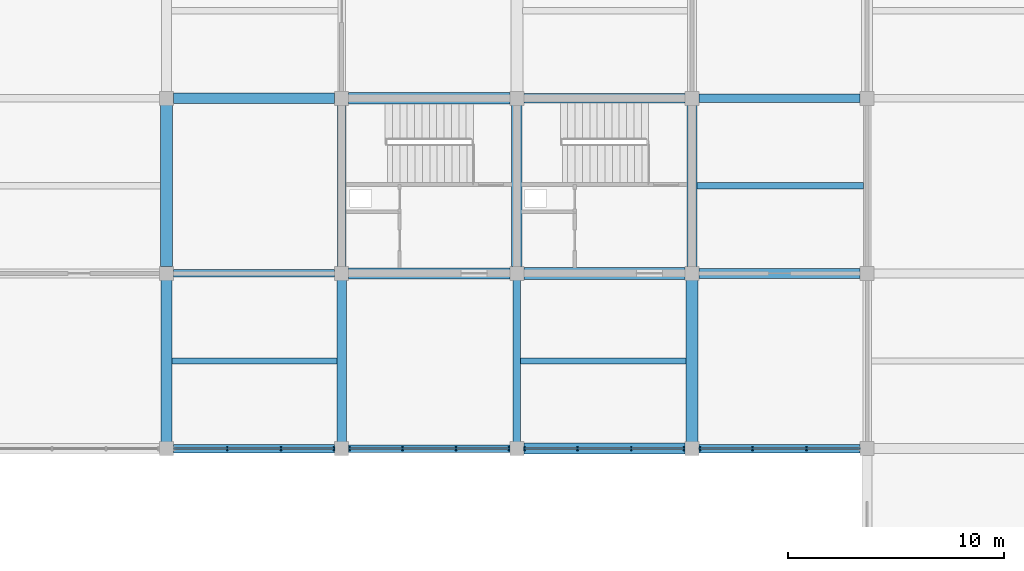
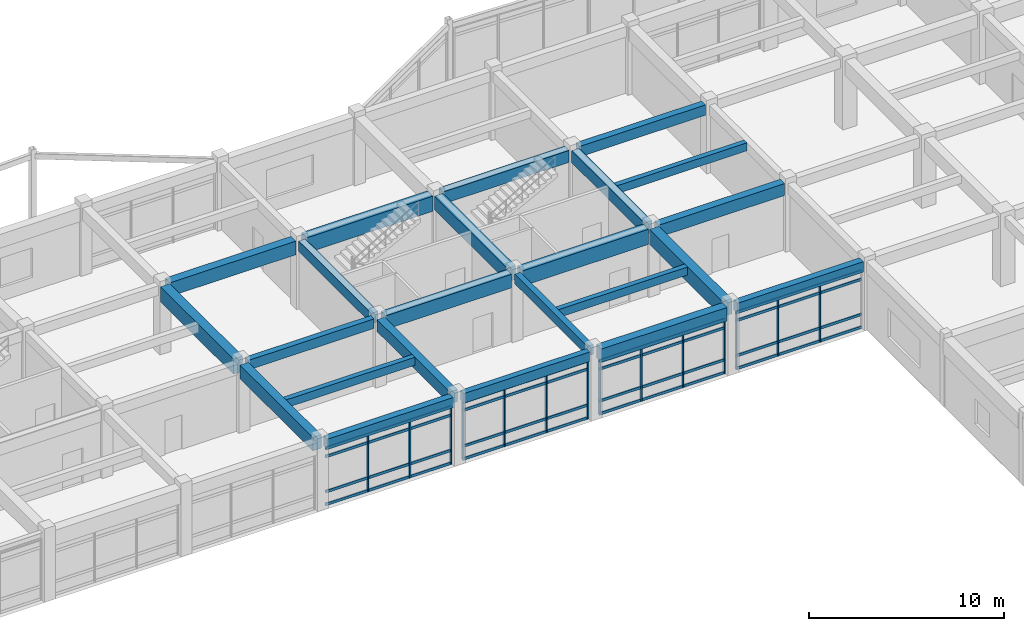
# One storey, part 32 of 93: 30 members, 23 beams, 4 elements without a shape of their own.
"""IFC4 building model written with IfcOpenShell, lengths in metres."""

from ifc_helpers import new_model, si_unit, direction, frame, origin, origin_2d, place, context, subcontext, project, spatial, rectangle, extrude, material, layer, layer_set, material_profile, profile_set, type_object, element, aggregate, save


model = new_model("IFC4")

# Units and contexts
model_context = context("Model", 3, precision=1e-05, world=origin(), true_north=direction((0.0, 1.0)))
body_context = subcontext(model_context, "Body", "Model", "MODEL_VIEW")
ifc_project = project(units=[si_unit("LENGTHUNIT", "METRE"), si_unit("AREAUNIT", "SQUARE_METRE"), si_unit("VOLUMEUNIT", "CUBIC_METRE"), si_unit("PLANEANGLEUNIT", "RADIAN"), si_unit("MASSUNIT", "GRAM", prefix="KILO")], contexts=[model_context])

# Site, building, storey
site_placement = place(None, origin())
site = spatial("IfcSite", under=ifc_project, at=site_placement, CompositionType="ELEMENT")
building_placement = place(site_placement, origin())
building = spatial("IfcBuilding", under=site, at=building_placement, Name="Vaudrelin Polytechnic", CompositionType="ELEMENT")
storey_placement = place(building_placement, frame((0.0, 0.0, 5.10009765625)))
storey = spatial("IfcBuildingStorey", under=building, at=storey_placement, Name="L01", CompositionType="ELEMENT", Elevation=5.10009765625)

# Beams
ifc_material_1 = material(Name="Concrete 40 MPa", Category="concrete")
ifc_material_profile_1 = material_profile(ifc_material_1, rectangle(XDim=0.35009765625, YDim=0.60009765625, at=origin_2d()), Name="RC350x600")
ifc_profile_set_1 = profile_set([ifc_material_profile_1], Name="Concrete 40 MPa")
beam_type_1 = type_object("IfcBeamType", Name="BM-BM-RC3560", PredefinedType="BEAM", material=ifc_profile_set_1)
beam_1_placement = place(storey_placement, frame((113.39990234375, 97.510009765625, 3.949951171875), z_axis=(0.0, 1.0, 0.0), x_axis=(-1.0, 0.0, 0.0)))
element("IfcBeam", 1, at=beam_1_placement, inside=storey, type_object=beam_type_1, Name="L01 Y-beam 15-13", PredefinedType="BEAM", context=body_context, shape_type="SweptSolid", body=[
    extrude(rectangle(XDim=0.35009765625, YDim=0.60009765625, at=origin_2d()), origin(), (0.0, 0.0, 1.0), 7.47998046875),
])
for number, where, z_axis, x_axis, name in (
    (2, (97.52099609375, 105.300048828125, 3.949951171875), (1.0, 0.0, 0.0), (0.0, 1.0, 0.0), "L01 X-beam 13-14"),
    (3, (105.62109375, 97.199951171875, 3.949951171875), (1.0, 0.0, 0.0), (0.0, 1.0, 0.0), "L01 X-beam 14-13"),
):
    element("IfcBeam", number, at=place(storey_placement, frame(where, z_axis=z_axis, x_axis=x_axis)), inside=storey, type_object=beam_type_1, Name=name, PredefinedType="BEAM", context=body_context, shape_type="SweptSolid", body=[
        extrude(rectangle(XDim=0.35009765625, YDim=0.60009765625, at=origin_2d()), origin(), (0.0, 0.0, 1.0), 7.4580078125),
    ])
ifc_material_profile_2 = material_profile(ifc_material_1, rectangle(XDim=0.39990234375, YDim=0.64990234375, at=origin_2d()), Name="RC400x650")
ifc_profile_set_2 = profile_set([ifc_material_profile_2], Name="Concrete 40 MPa")
beam_type_2 = type_object("IfcBeamType", Name="BM-BM-RC4065", PredefinedType="BEAM", material=ifc_profile_set_2)
beam_2_placement = place(storey_placement, frame((105.300048828125, 105.610107421875, 3.9248046875), z_axis=(0.0, 1.0, 0.0), x_axis=(-1.0, 0.0, 0.0)))
element("IfcBeam", 4, at=beam_2_placement, inside=storey, type_object=beam_type_2, Name="L01 Y-beam 14-14", PredefinedType="BEAM", context=body_context, shape_type="SweptSolid", body=[
    extrude(rectangle(XDim=0.39990234375, YDim=0.64990234375, at=origin_2d()), origin(), (0.0, 0.0, 1.0), 7.47998046875),
])
beam_3_placement = place(storey_placement, frame((121.821044921875, 113.39990234375, 3.9248046875), z_axis=(1.0, 0.0, 0.0), x_axis=(0.0, 1.0, 0.0)))
element("IfcBeam", 5, at=beam_3_placement, inside=storey, type_object=beam_type_2, Name="L01 X-beam 16-15", PredefinedType="BEAM", context=body_context, shape_type="SweptSolid", body=[
    extrude(rectangle(XDim=0.39990234375, YDim=0.64990234375, at=origin_2d()), origin(), (0.0, 0.0, 1.0), 7.4580078125),
])
ifc_material_profile_3 = material_profile(ifc_material_1, rectangle(XDim=0.449951171875, YDim=0.75, at=origin_2d()), Name="RC450x750")
ifc_profile_set_3 = profile_set([ifc_material_profile_3], Name="Concrete 40 MPa")
beam_type_3 = type_object("IfcBeamType", Name="BM-BM-RC4575", PredefinedType="BEAM", material=ifc_profile_set_3)
for number, where, z_axis, x_axis, name in (
    (6, (105.300048828125, 97.510009765625, 3.875), (0.0, 1.0, 0.0), (-1.0, 0.0, 0.0), "L01 Y-beam 14-13"),
    (7, (121.5, 105.610107421875, 3.875), (0.0, 1.0, 0.0), (-1.0, 0.0, 0.0), "L01 Y-beam 16-14"),
):
    element("IfcBeam", number, at=place(storey_placement, frame(where, z_axis=z_axis, x_axis=x_axis)), inside=storey, type_object=beam_type_3, Name=name, PredefinedType="BEAM", context=body_context, shape_type="SweptSolid", body=[
        extrude(rectangle(XDim=0.449951171875, YDim=0.75, at=origin_2d()), origin(), (0.0, 0.0, 1.0), 7.47998046875),
    ])
for number, where, z_axis, x_axis, name in (
    (8, (113.720947265625, 113.39990234375, 3.875), (1.0, 0.0, 0.0), (0.0, 1.0, 0.0), "L01 X-beam 15-15"),
    (9, (121.821044921875, 105.300048828125, 3.875), (1.0, 0.0, 0.0), (0.0, 1.0, 0.0), "L01 X-beam 16-14"),
):
    element("IfcBeam", number, at=place(storey_placement, frame(where, z_axis=z_axis, x_axis=x_axis)), inside=storey, type_object=beam_type_3, Name=name, PredefinedType="BEAM", context=body_context, shape_type="SweptSolid", body=[
        extrude(rectangle(XDim=0.449951171875, YDim=0.75, at=origin_2d()), origin(), (0.0, 0.0, 1.0), 7.4580078125),
    ])
ifc_material_profile_4 = material_profile(ifc_material_1, rectangle(XDim=0.5, YDim=0.85009765625, at=origin_2d()), Name="RC500x850")
ifc_profile_set_4 = profile_set([ifc_material_profile_4], Name="Concrete 40 MPa")
beam_type_4 = type_object("IfcBeamType", Name="BM-BM-RC5085", PredefinedType="BEAM", material=ifc_profile_set_4)
for number, where, z_axis, x_axis, name in (
    (10, (97.199951171875, 97.510009765625, 3.824951171875), (0.0, 1.0, 0.0), (-1.0, 0.0, 0.0), "L01 Y-beam 13-13"),
    (11, (113.39990234375, 105.610107421875, 3.824951171875), (0.0, 1.0, 0.0), (-1.0, 0.0, 0.0), "L01 Y-beam 15-14"),
):
    element("IfcBeam", number, at=place(storey_placement, frame(where, z_axis=z_axis, x_axis=x_axis)), inside=storey, type_object=beam_type_4, Name=name, PredefinedType="BEAM", context=body_context, shape_type="SweptSolid", body=[
        extrude(rectangle(XDim=0.5, YDim=0.85009765625, at=origin_2d()), origin(), (0.0, 0.0, 1.0), 7.47998046875),
    ])
for number, where, z_axis, x_axis, name in (
    (12, (97.52099609375, 113.39990234375, 3.824951171875), (1.0, 0.0, 0.0), (0.0, 1.0, 0.0), "L01 X-beam 13-15"),
    (13, (105.62109375, 105.300048828125, 3.824951171875), (1.0, 0.0, 0.0), (0.0, 1.0, 0.0), "L01 X-beam 14-14"),
    (14, (113.720947265625, 97.199951171875, 3.824951171875), (1.0, 0.0, 0.0), (0.0, 1.0, 0.0), "L01 X-beam 15-13"),
):
    element("IfcBeam", number, at=place(storey_placement, frame(where, z_axis=z_axis, x_axis=x_axis)), inside=storey, type_object=beam_type_4, Name=name, PredefinedType="BEAM", context=body_context, shape_type="SweptSolid", body=[
        extrude(rectangle(XDim=0.5, YDim=0.85009765625, at=origin_2d()), origin(), (0.0, 0.0, 1.0), 7.4580078125),
    ])
ifc_material_2 = material(Name="Concrete 50 MPa", Category="concrete")
ifc_material_profile_5 = material_profile(ifc_material_2, rectangle(XDim=0.550048828125, YDim=0.949951171875, at=origin_2d()), Name="RC550x950")
ifc_profile_set_5 = profile_set([ifc_material_profile_5], Name="Concrete 50 MPa")
beam_type_5 = type_object("IfcBeamType", Name="BM-BM-RC5595", PredefinedType="BEAM", material=ifc_profile_set_5)
for number, where, z_axis, x_axis, name in (
    (15, (97.199951171875, 105.610107421875, 3.77490234375), (0.0, 1.0, 0.0), (-1.0, 0.0, 0.0), "L01 Y-beam 13-14"),
    (16, (121.5, 97.510009765625, 3.77490234375), (0.0, 1.0, 0.0), (-1.0, 0.0, 0.0), "L01 Y-beam 16-13"),
):
    element("IfcBeam", number, at=place(storey_placement, frame(where, z_axis=z_axis, x_axis=x_axis)), inside=storey, type_object=beam_type_5, Name=name, PredefinedType="BEAM", context=body_context, shape_type="SweptSolid", body=[
        extrude(rectangle(XDim=0.550048828125, YDim=0.949951171875, at=origin_2d()), origin(), (0.0, 0.0, 1.0), 7.47998046875),
    ])
for number, where, z_axis, x_axis, name in (
    (17, (105.62109375, 113.39990234375, 3.77490234375), (1.0, 0.0, 0.0), (0.0, 1.0, 0.0), "L01 X-beam 14-15"),
    (18, (113.720947265625, 105.300048828125, 3.77490234375), (1.0, 0.0, 0.0), (0.0, 1.0, 0.0), "L01 X-beam 15-14"),
):
    element("IfcBeam", number, at=place(storey_placement, frame(where, z_axis=z_axis, x_axis=x_axis)), inside=storey, type_object=beam_type_5, Name=name, PredefinedType="BEAM", context=body_context, shape_type="SweptSolid", body=[
        extrude(rectangle(XDim=0.550048828125, YDim=0.949951171875, at=origin_2d()), origin(), (0.0, 0.0, 1.0), 7.4580078125),
    ])
ifc_material_profile_6 = material_profile(ifc_material_1, rectangle(XDim=0.300048828125, YDim=0.5, at=origin_2d()), Name="RC300x500")
ifc_profile_set_6 = profile_set([ifc_material_profile_6], Name="Concrete 40 MPa")
beam_type_6 = type_object("IfcBeamType", Name="BM-JS-RC3050", PredefinedType="JOIST", material=ifc_profile_set_6)
beam_4_placement = place(storey_placement, frame((97.446044921875, 101.25, 4.0), z_axis=(1.0, 0.0, 0.0), x_axis=(0.0, 1.0, 0.0)))
element("IfcBeam", 19, at=beam_4_placement, inside=storey, type_object=beam_type_6, Name="L01 floor joist 13-13", PredefinedType="JOIST", context=body_context, shape_type="SweptSolid", body=[
    extrude(rectangle(XDim=0.300048828125, YDim=0.5, at=origin_2d()), origin(), (0.0, 0.0, 1.0), 7.633056640625),
])
beam_5_placement = place(storey_placement, frame((113.571044921875, 101.25, 4.0), z_axis=(1.0, 0.0, 0.0), x_axis=(0.0, 1.0, 0.0)))
element("IfcBeam", 20, at=beam_5_placement, inside=storey, type_object=beam_type_6, Name="L01 floor joist 15-13", PredefinedType="JOIST", context=body_context, shape_type="SweptSolid", body=[
    extrude(rectangle(XDim=0.300048828125, YDim=0.5, at=origin_2d()), origin(), (0.0, 0.0, 1.0), 7.657958984375),
])
beam_6_placement = place(storey_placement, frame((121.720947265625, 109.35009765625, 4.0), z_axis=(1.0, 0.0, 0.0), x_axis=(0.0, 1.0, 0.0)))
element("IfcBeam", 21, at=beam_6_placement, inside=storey, type_object=beam_type_6, Name="L01 floor joist 16-14", PredefinedType="JOIST", context=body_context, shape_type="SweptSolid", body=[
    extrude(rectangle(XDim=0.300048828125, YDim=0.5, at=origin_2d()), origin(), (0.0, 0.0, 1.0), 7.7080078125),
])
ifc_material_profile_7 = material_profile(ifc_material_1, rectangle(XDim=0.39990234375, YDim=0.64990234375, at=origin_2d()), Name="RC400x650")
ifc_profile_set_7 = profile_set([ifc_material_profile_7], Name="Concrete 40 MPa")
beam_type_7 = type_object("IfcBeamType", Name="BM-SP-RC4065", PredefinedType="SPANDREL", material=ifc_profile_set_7)
for number, where, z_axis, x_axis, name in (
    (22, (97.52099609375, 97.199951171875, 3.9248046875), (1.0, 0.0, 0.0), (0.0, 1.0, 0.0), "L01 X-beam 13-13"),
    (23, (121.821044921875, 97.199951171875, 3.9248046875), (1.0, 0.0, 0.0), (0.0, 1.0, 0.0), "L01 X-beam 16-13"),
):
    element("IfcBeam", number, at=place(storey_placement, frame(where, z_axis=z_axis, x_axis=x_axis)), inside=storey, type_object=beam_type_7, Name=name, PredefinedType="SPANDREL", context=body_context, shape_type="SweptSolid", body=[
        extrude(rectangle(XDim=0.39990234375, YDim=0.64990234375, at=origin_2d()), origin(), (0.0, 0.0, 1.0), 7.4580078125),
    ])

# Curtain wall, members
ifc_material_3 = material(Name="Thermally broken anodised aluminium AA 6063-T6 and low-e triple glazing", Category="aluminium")
ifc_layer = layer(ifc_material_3, 0.199951171875)
ifc_layer_set = layer_set([ifc_layer], Name="Thermally broken anodised aluminium AA 6063-T6 and low-e triple glazing")
curtain_wall_type = type_object("IfcCurtainWallType", Name="CW-CW-LIB", PredefinedType="USERDEFINED", material=ifc_layer_set)
curtain_wall_1_placement = place(storey_placement, origin())
curtain_wall_1 = element("IfcCurtainWall", 24, at=curtain_wall_1_placement, inside=storey, type_object=curtain_wall_type, Name="Curtain wall L01 CT_N_08", ObjectType="CURTAIN WALL", PredefinedType="USERDEFINED")
ifc_material_4 = material(Name="Anodised aluminium AA 6063-T6", Category="aluminium")
ifc_material_profile_8 = material_profile(ifc_material_4, rectangle(XDim=0.06494140625, YDim=0.179931640625, at=origin_2d()), Name="CWM-65x180")
ifc_profile_set_8 = profile_set([ifc_material_profile_8], Name="Anodised aluminium AA 6063-T6")
member_type_1 = type_object("IfcMemberType", Name="MEM-CWM-180", PredefinedType="MULLION", material=ifc_profile_set_8)
member_1_placement = place(storey_placement, frame((100.0078125, 97.199951171875, 0.0), z_axis=(0.0, 0.0, 1.0), x_axis=(1.0, 0.0, 0.0)))
member_1 = element("IfcMember", 25, at=member_1_placement, type_object=member_type_1, Name="CT_N_08 mullion 2", PredefinedType="MULLION", context=body_context, shape_type="SweptSolid", body=[
    extrude(rectangle(XDim=0.06494140625, YDim=0.179931640625, at=origin_2d()), origin(), (0.0, 0.0, 1.0), 3.601806640625),
])
member_2_placement = place(storey_placement, frame((102.4921875, 97.199951171875, 0.0), z_axis=(0.0, 0.0, 1.0), x_axis=(1.0, 0.0, 0.0)))
member_2 = element("IfcMember", 26, at=member_2_placement, type_object=member_type_1, Name="CT_N_08 mullion 3", PredefinedType="MULLION", context=body_context, shape_type="SweptSolid", body=[
    extrude(rectangle(XDim=0.06494140625, YDim=0.179931640625, at=origin_2d()), origin(), (0.0, 0.0, 1.0), 3.601806640625),
])
member_3_placement = place(storey_placement, frame((104.93701171875, 97.199951171875, 0.0), z_axis=(0.0, 0.0, 1.0), x_axis=(1.0, 0.0, 0.0)))
member_3 = element("IfcMember", 27, at=member_3_placement, type_object=member_type_1, Name="CT_N_08 mullion 4", PredefinedType="MULLION", context=body_context, shape_type="SweptSolid", body=[
    extrude(rectangle(XDim=0.06494140625, YDim=0.179931640625, at=origin_2d()), origin(), (0.0, 0.0, 1.0), 3.601806640625),
])

curtain_wall_2_placement = place(storey_placement, origin())
curtain_wall_2 = element("IfcCurtainWall", 28, at=curtain_wall_2_placement, inside=storey, type_object=curtain_wall_type, Name="Curtain wall L01 CT_N_09", ObjectType="CURTAIN WALL", PredefinedType="USERDEFINED")
member_4_placement = place(storey_placement, frame((105.6630859375, 97.199951171875, 0.0), z_axis=(0.0, 0.0, 1.0), x_axis=(1.0, 0.0, 0.0)))
member_4 = element("IfcMember", 29, at=member_4_placement, type_object=member_type_1, Name="CT_N_09 mullion 1", PredefinedType="MULLION", context=body_context, shape_type="SweptSolid", body=[
    extrude(rectangle(XDim=0.06494140625, YDim=0.179931640625, at=origin_2d()), origin(), (0.0, 0.0, 1.0), 3.65185546875),
])
member_5_placement = place(storey_placement, frame((108.107666015625, 97.199951171875, 0.0), z_axis=(0.0, 0.0, 1.0), x_axis=(1.0, 0.0, 0.0)))
member_5 = element("IfcMember", 30, at=member_5_placement, type_object=member_type_1, Name="CT_N_09 mullion 2", PredefinedType="MULLION", context=body_context, shape_type="SweptSolid", body=[
    extrude(rectangle(XDim=0.06494140625, YDim=0.179931640625, at=origin_2d()), origin(), (0.0, 0.0, 1.0), 3.65185546875),
])
member_6_placement = place(storey_placement, frame((110.59228515625, 97.199951171875, 0.0), z_axis=(0.0, 0.0, 1.0), x_axis=(1.0, 0.0, 0.0)))
member_6 = element("IfcMember", 31, at=member_6_placement, type_object=member_type_1, Name="CT_N_09 mullion 3", PredefinedType="MULLION", context=body_context, shape_type="SweptSolid", body=[
    extrude(rectangle(XDim=0.06494140625, YDim=0.179931640625, at=origin_2d()), origin(), (0.0, 0.0, 1.0), 3.65185546875),
])
member_7_placement = place(storey_placement, frame((113.037109375, 97.199951171875, 0.0), z_axis=(0.0, 0.0, 1.0), x_axis=(1.0, 0.0, 0.0)))
member_7 = element("IfcMember", 32, at=member_7_placement, type_object=member_type_1, Name="CT_N_09 mullion 4", PredefinedType="MULLION", context=body_context, shape_type="SweptSolid", body=[
    extrude(rectangle(XDim=0.06494140625, YDim=0.179931640625, at=origin_2d()), origin(), (0.0, 0.0, 1.0), 3.65185546875),
])

curtain_wall_3_placement = place(storey_placement, origin())
curtain_wall_3 = element("IfcCurtainWall", 33, at=curtain_wall_3_placement, inside=storey, type_object=curtain_wall_type, Name="Curtain wall L01 CT_N_10", ObjectType="CURTAIN WALL", PredefinedType="USERDEFINED")
member_8_placement = place(storey_placement, frame((113.762939453125, 97.199951171875, 0.0), z_axis=(0.0, 0.0, 1.0), x_axis=(1.0, 0.0, 0.0)))
member_8 = element("IfcMember", 34, at=member_8_placement, type_object=member_type_1, Name="CT_N_10 mullion 1", PredefinedType="MULLION", context=body_context, shape_type="SweptSolid", body=[
    extrude(rectangle(XDim=0.06494140625, YDim=0.179931640625, at=origin_2d()), origin(), (0.0, 0.0, 1.0), 3.40185546875),
])
member_9_placement = place(storey_placement, frame((116.207763671875, 97.199951171875, 0.0), z_axis=(0.0, 0.0, 1.0), x_axis=(1.0, 0.0, 0.0)))
member_9 = element("IfcMember", 35, at=member_9_placement, type_object=member_type_1, Name="CT_N_10 mullion 2", PredefinedType="MULLION", context=body_context, shape_type="SweptSolid", body=[
    extrude(rectangle(XDim=0.06494140625, YDim=0.179931640625, at=origin_2d()), origin(), (0.0, 0.0, 1.0), 3.40185546875),
])
member_10_placement = place(storey_placement, frame((118.6923828125, 97.199951171875, 0.0), z_axis=(0.0, 0.0, 1.0), x_axis=(1.0, 0.0, 0.0)))
member_10 = element("IfcMember", 36, at=member_10_placement, type_object=member_type_1, Name="CT_N_10 mullion 3", PredefinedType="MULLION", context=body_context, shape_type="SweptSolid", body=[
    extrude(rectangle(XDim=0.06494140625, YDim=0.179931640625, at=origin_2d()), origin(), (0.0, 0.0, 1.0), 3.40185546875),
])
member_11_placement = place(storey_placement, frame((121.136962890625, 97.199951171875, 0.0), z_axis=(0.0, 0.0, 1.0), x_axis=(1.0, 0.0, 0.0)))
member_11 = element("IfcMember", 37, at=member_11_placement, type_object=member_type_1, Name="CT_N_10 mullion 4", PredefinedType="MULLION", context=body_context, shape_type="SweptSolid", body=[
    extrude(rectangle(XDim=0.06494140625, YDim=0.179931640625, at=origin_2d()), origin(), (0.0, 0.0, 1.0), 3.40185546875),
])

curtain_wall_4_placement = place(storey_placement, origin())
curtain_wall_4 = element("IfcCurtainWall", 38, at=curtain_wall_4_placement, inside=storey, type_object=curtain_wall_type, Name="Curtain wall L01 CT_N_11", ObjectType="CURTAIN WALL", PredefinedType="USERDEFINED")
member_12_placement = place(storey_placement, frame((121.863037109375, 97.199951171875, 0.0), z_axis=(0.0, 0.0, 1.0), x_axis=(1.0, 0.0, 0.0)))
member_12 = element("IfcMember", 39, at=member_12_placement, type_object=member_type_1, Name="CT_N_11 mullion 1", PredefinedType="MULLION", context=body_context, shape_type="SweptSolid", body=[
    extrude(rectangle(XDim=0.06494140625, YDim=0.179931640625, at=origin_2d()), origin(), (0.0, 0.0, 1.0), 3.601806640625),
])
member_13_placement = place(storey_placement, frame((124.3076171875, 97.199951171875, 0.0), z_axis=(0.0, 0.0, 1.0), x_axis=(1.0, 0.0, 0.0)))
member_13 = element("IfcMember", 40, at=member_13_placement, type_object=member_type_1, Name="CT_N_11 mullion 2", PredefinedType="MULLION", context=body_context, shape_type="SweptSolid", body=[
    extrude(rectangle(XDim=0.06494140625, YDim=0.179931640625, at=origin_2d()), origin(), (0.0, 0.0, 1.0), 3.601806640625),
])
member_14_placement = place(storey_placement, frame((126.792236328125, 97.199951171875, 0.0), z_axis=(0.0, 0.0, 1.0), x_axis=(1.0, 0.0, 0.0)))
member_14 = element("IfcMember", 41, at=member_14_placement, type_object=member_type_1, Name="CT_N_11 mullion 3", PredefinedType="MULLION", context=body_context, shape_type="SweptSolid", body=[
    extrude(rectangle(XDim=0.06494140625, YDim=0.179931640625, at=origin_2d()), origin(), (0.0, 0.0, 1.0), 3.601806640625),
])

# Member
ifc_material_profile_9 = material_profile(ifc_material_4, rectangle(XDim=0.074951171875, YDim=0.1650390625, at=origin_2d()), Name="CWT-75x165")
ifc_profile_set_9 = profile_set([ifc_material_profile_9], Name="Anodised aluminium AA 6063-T6")
member_type_2 = type_object("IfcMemberType", Name="MEM-CWT-165", PredefinedType="USERDEFINED", material=ifc_profile_set_9)
member_15_placement = place(storey_placement, frame((97.52294921875, 97.199951171875, 0.0498046875), z_axis=(1.0, 0.0, 0.0), x_axis=(0.0, 1.0, 0.0)))
member_15 = element("IfcMember", 42, at=member_15_placement, type_object=member_type_2, Name="CT_N_08 transom 1", ObjectType="TRANSOM", PredefinedType="USERDEFINED", context=body_context, shape_type="SweptSolid", body=[
    extrude(rectangle(XDim=0.074951171875, YDim=0.1650390625, at=origin_2d()), origin(), (0.0, 0.0, 1.0), 7.4541015625),
])

member_16_placement = place(storey_placement, frame((97.52294921875, 97.199951171875, 0.849853515625), z_axis=(1.0, 0.0, 0.0), x_axis=(0.0, 1.0, 0.0)))
member_16 = element("IfcMember", 43, at=member_16_placement, type_object=member_type_2, Name="CT_N_08 transom 2", ObjectType="TRANSOM", PredefinedType="USERDEFINED", context=body_context, shape_type="SweptSolid", body=[
    extrude(rectangle(XDim=0.074951171875, YDim=0.1650390625, at=origin_2d()), origin(), (0.0, 0.0, 1.0), 7.4541015625),
])

member_17_placement = place(storey_placement, frame((97.52294921875, 97.199951171875, 3.052001953125), z_axis=(1.0, 0.0, 0.0), x_axis=(0.0, 1.0, 0.0)))
member_17 = element("IfcMember", 44, at=member_17_placement, type_object=member_type_2, Name="CT_N_08 transom 3", ObjectType="TRANSOM", PredefinedType="USERDEFINED", context=body_context, shape_type="SweptSolid", body=[
    extrude(rectangle(XDim=0.074951171875, YDim=0.1650390625, at=origin_2d()), origin(), (0.0, 0.0, 1.0), 7.4541015625),
])

member_18_placement = place(storey_placement, frame((97.52294921875, 97.199951171875, 3.552001953125), z_axis=(1.0, 0.0, 0.0), x_axis=(0.0, 1.0, 0.0)))
member_18 = element("IfcMember", 45, at=member_18_placement, type_object=member_type_2, Name="CT_N_08 transom 4", ObjectType="TRANSOM", PredefinedType="USERDEFINED", context=body_context, shape_type="SweptSolid", body=[
    extrude(rectangle(XDim=0.074951171875, YDim=0.1650390625, at=origin_2d()), origin(), (0.0, 0.0, 1.0), 7.4541015625),
])

aggregate(curtain_wall_1, [member_1, member_2, member_3, member_15, member_16, member_17, member_18])

member_19_placement = place(storey_placement, frame((105.623046875, 97.199951171875, 0.0498046875), z_axis=(1.0, 0.0, 0.0), x_axis=(0.0, 1.0, 0.0)))
member_19 = element("IfcMember", 46, at=member_19_placement, type_object=member_type_2, Name="CT_N_09 transom 1", ObjectType="TRANSOM", PredefinedType="USERDEFINED", context=body_context, shape_type="SweptSolid", body=[
    extrude(rectangle(XDim=0.074951171875, YDim=0.1650390625, at=origin_2d()), origin(), (0.0, 0.0, 1.0), 7.453857421875),
])

member_20_placement = place(storey_placement, frame((105.623046875, 97.199951171875, 0.849853515625), z_axis=(1.0, 0.0, 0.0), x_axis=(0.0, 1.0, 0.0)))
member_20 = element("IfcMember", 47, at=member_20_placement, type_object=member_type_2, Name="CT_N_09 transom 2", ObjectType="TRANSOM", PredefinedType="USERDEFINED", context=body_context, shape_type="SweptSolid", body=[
    extrude(rectangle(XDim=0.074951171875, YDim=0.1650390625, at=origin_2d()), origin(), (0.0, 0.0, 1.0), 7.453857421875),
])

member_21_placement = place(storey_placement, frame((105.623046875, 97.199951171875, 3.101806640625), z_axis=(1.0, 0.0, 0.0), x_axis=(0.0, 1.0, 0.0)))
member_21 = element("IfcMember", 48, at=member_21_placement, type_object=member_type_2, Name="CT_N_09 transom 3", ObjectType="TRANSOM", PredefinedType="USERDEFINED", context=body_context, shape_type="SweptSolid", body=[
    extrude(rectangle(XDim=0.074951171875, YDim=0.1650390625, at=origin_2d()), origin(), (0.0, 0.0, 1.0), 7.453857421875),
])

member_22_placement = place(storey_placement, frame((105.623046875, 97.199951171875, 3.601806640625), z_axis=(1.0, 0.0, 0.0), x_axis=(0.0, 1.0, 0.0)))
member_22 = element("IfcMember", 49, at=member_22_placement, type_object=member_type_2, Name="CT_N_09 transom 4", ObjectType="TRANSOM", PredefinedType="USERDEFINED", context=body_context, shape_type="SweptSolid", body=[
    extrude(rectangle(XDim=0.074951171875, YDim=0.1650390625, at=origin_2d()), origin(), (0.0, 0.0, 1.0), 7.453857421875),
])

aggregate(curtain_wall_2, [member_4, member_5, member_6, member_7, member_19, member_20, member_21, member_22])

member_23_placement = place(storey_placement, frame((113.722900390625, 97.199951171875, 0.0498046875), z_axis=(1.0, 0.0, 0.0), x_axis=(0.0, 1.0, 0.0)))
member_23 = element("IfcMember", 50, at=member_23_placement, type_object=member_type_2, Name="CT_N_10 transom 1", ObjectType="TRANSOM", PredefinedType="USERDEFINED", context=body_context, shape_type="SweptSolid", body=[
    extrude(rectangle(XDim=0.074951171875, YDim=0.1650390625, at=origin_2d()), origin(), (0.0, 0.0, 1.0), 7.4541015625),
])

member_24_placement = place(storey_placement, frame((113.722900390625, 97.199951171875, 0.849853515625), z_axis=(1.0, 0.0, 0.0), x_axis=(0.0, 1.0, 0.0)))
member_24 = element("IfcMember", 51, at=member_24_placement, type_object=member_type_2, Name="CT_N_10 transom 2", ObjectType="TRANSOM", PredefinedType="USERDEFINED", context=body_context, shape_type="SweptSolid", body=[
    extrude(rectangle(XDim=0.074951171875, YDim=0.1650390625, at=origin_2d()), origin(), (0.0, 0.0, 1.0), 7.4541015625),
])

member_25_placement = place(storey_placement, frame((113.722900390625, 97.199951171875, 2.851806640625), z_axis=(1.0, 0.0, 0.0), x_axis=(0.0, 1.0, 0.0)))
member_25 = element("IfcMember", 52, at=member_25_placement, type_object=member_type_2, Name="CT_N_10 transom 3", ObjectType="TRANSOM", PredefinedType="USERDEFINED", context=body_context, shape_type="SweptSolid", body=[
    extrude(rectangle(XDim=0.074951171875, YDim=0.1650390625, at=origin_2d()), origin(), (0.0, 0.0, 1.0), 7.4541015625),
])

member_26_placement = place(storey_placement, frame((113.722900390625, 97.199951171875, 3.351806640625), z_axis=(1.0, 0.0, 0.0), x_axis=(0.0, 1.0, 0.0)))
member_26 = element("IfcMember", 53, at=member_26_placement, type_object=member_type_2, Name="CT_N_10 transom 4", ObjectType="TRANSOM", PredefinedType="USERDEFINED", context=body_context, shape_type="SweptSolid", body=[
    extrude(rectangle(XDim=0.074951171875, YDim=0.1650390625, at=origin_2d()), origin(), (0.0, 0.0, 1.0), 7.4541015625),
])

aggregate(curtain_wall_3, [member_8, member_9, member_10, member_11, member_23, member_24, member_25, member_26])

member_27_placement = place(storey_placement, frame((121.822998046875, 97.199951171875, 0.0498046875), z_axis=(1.0, 0.0, 0.0), x_axis=(0.0, 1.0, 0.0)))
member_27 = element("IfcMember", 54, at=member_27_placement, type_object=member_type_2, Name="CT_N_11 transom 1", ObjectType="TRANSOM", PredefinedType="USERDEFINED", context=body_context, shape_type="SweptSolid", body=[
    extrude(rectangle(XDim=0.074951171875, YDim=0.1650390625, at=origin_2d()), origin(), (0.0, 0.0, 1.0), 7.4541015625),
])

member_28_placement = place(storey_placement, frame((121.822998046875, 97.199951171875, 0.849853515625), z_axis=(1.0, 0.0, 0.0), x_axis=(0.0, 1.0, 0.0)))
member_28 = element("IfcMember", 55, at=member_28_placement, type_object=member_type_2, Name="CT_N_11 transom 2", ObjectType="TRANSOM", PredefinedType="USERDEFINED", context=body_context, shape_type="SweptSolid", body=[
    extrude(rectangle(XDim=0.074951171875, YDim=0.1650390625, at=origin_2d()), origin(), (0.0, 0.0, 1.0), 7.4541015625),
])

member_29_placement = place(storey_placement, frame((121.822998046875, 97.199951171875, 3.052001953125), z_axis=(1.0, 0.0, 0.0), x_axis=(0.0, 1.0, 0.0)))
member_29 = element("IfcMember", 56, at=member_29_placement, type_object=member_type_2, Name="CT_N_11 transom 3", ObjectType="TRANSOM", PredefinedType="USERDEFINED", context=body_context, shape_type="SweptSolid", body=[
    extrude(rectangle(XDim=0.074951171875, YDim=0.1650390625, at=origin_2d()), origin(), (0.0, 0.0, 1.0), 7.4541015625),
])

member_30_placement = place(storey_placement, frame((121.822998046875, 97.199951171875, 3.552001953125), z_axis=(1.0, 0.0, 0.0), x_axis=(0.0, 1.0, 0.0)))
member_30 = element("IfcMember", 57, at=member_30_placement, type_object=member_type_2, Name="CT_N_11 transom 4", ObjectType="TRANSOM", PredefinedType="USERDEFINED", context=body_context, shape_type="SweptSolid", body=[
    extrude(rectangle(XDim=0.074951171875, YDim=0.1650390625, at=origin_2d()), origin(), (0.0, 0.0, 1.0), 7.4541015625),
])

aggregate(curtain_wall_4, [member_12, member_13, member_14, member_27, member_28, member_29, member_30])

save(model, "model.ifc")
